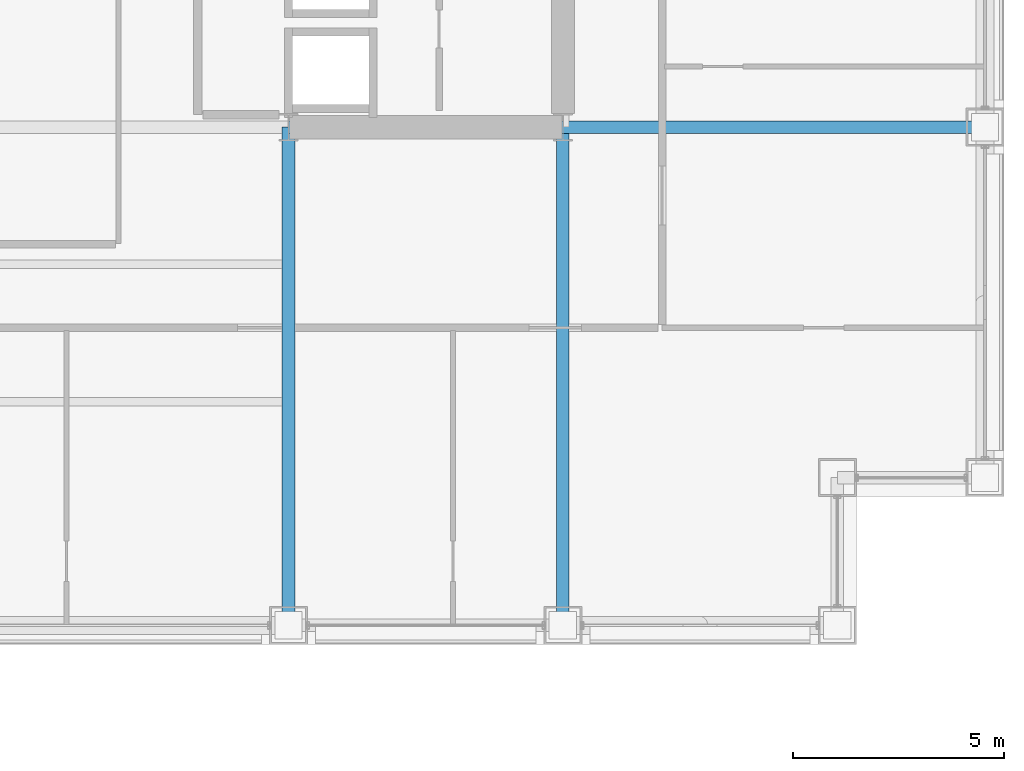
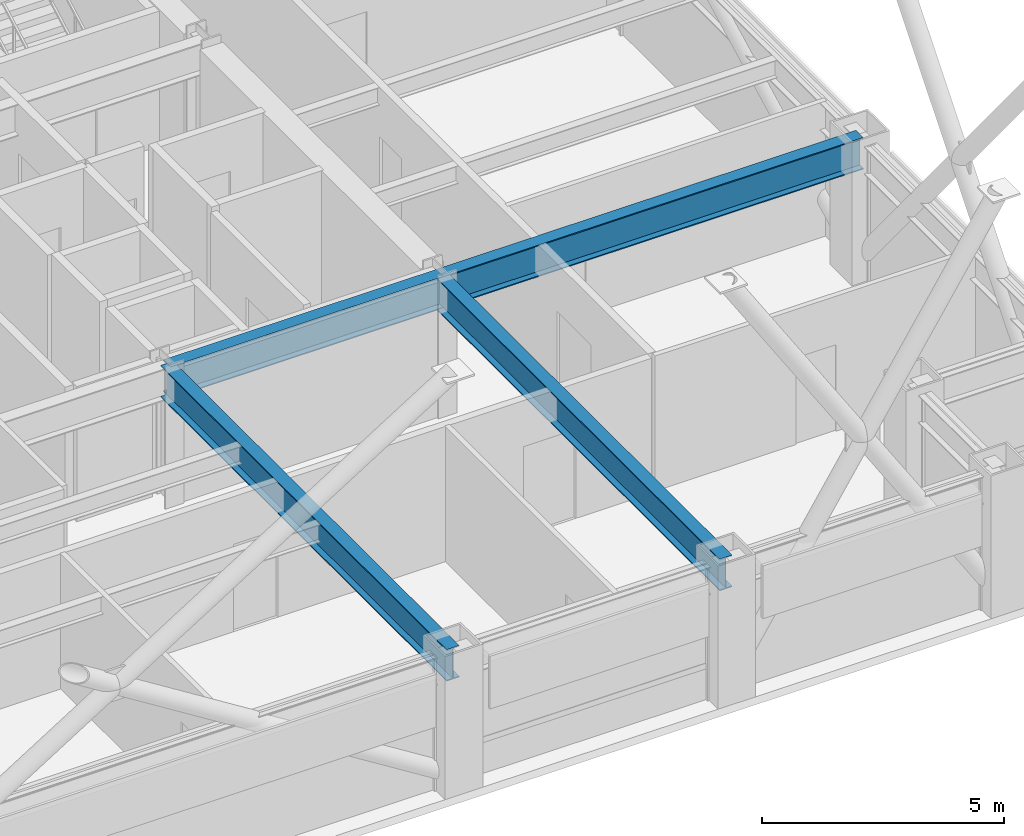
# One storey, part 10 of 30: 4 beams.
"""IFC4 building model written with IfcOpenShell, lengths in metres."""

from ifc_helpers import new_model, si_unit, direction, frame, origin, origin_2d, place, context, subcontext, project, spatial, i_section, extrude, material, material_profile, profile_set, type_object, element, save


model = new_model("IFC4")

# Units and contexts
model_context = context("Model", 3, precision=1e-05, world=origin(), true_north=direction((0.0, 1.0)))
body_context = subcontext(model_context, "Body", "Model", "MODEL_VIEW")
ifc_project = project(units=[si_unit("LENGTHUNIT", "METRE"), si_unit("AREAUNIT", "SQUARE_METRE"), si_unit("VOLUMEUNIT", "CUBIC_METRE"), si_unit("PLANEANGLEUNIT", "RADIAN"), si_unit("MASSUNIT", "GRAM", prefix="KILO")], contexts=[model_context])

# Site, building, storey
site_placement = place(None, origin())
site = spatial("IfcSite", under=ifc_project, at=site_placement, CompositionType="ELEMENT")
building_placement = place(site_placement, origin())
building = spatial("IfcBuilding", under=site, at=building_placement, Name="Brelmoor Portico Tower", CompositionType="ELEMENT")
storey_placement = place(building_placement, frame((0.0, 0.0, 56.39990234375)))
storey = spatial("IfcBuildingStorey", under=building, at=storey_placement, Name="L14", CompositionType="ELEMENT", Elevation=56.39990234375)

# Beams
ifc_material = material(Name="Steel Q355B", Category="steel")
ifc_material_profile = material_profile(ifc_material, i_section(OverallWidth=0.300048828125, OverallDepth=0.800048828125, WebThickness=0.013916015625, FlangeThickness=0.02587890625, at=origin_2d()), Name="HN 800x300x14x26")
ifc_profile_set = profile_set([ifc_material_profile], Name="Steel Q355B")
beam_type = type_object("IfcBeamType", Name="BM-PG-800", PredefinedType="BEAM", material=ifc_profile_set)
for number, where, z_axis, x_axis, name in (
    (1, (8.050048828125, -21.550048828125, 3.0), (0.0, 1.0, 0.0), (-1.0, 0.0, 0.0), "L14 Primary Floor Girder PG-09"),
    (2, (14.550048828125, -21.550048828125, 3.0), (0.0, 1.0, 0.0), (-1.0, 0.0, 0.0), "L14 Primary Floor Girder PG-11"),
):
    element("IfcBeam", number, at=place(storey_placement, frame(where, z_axis=z_axis, x_axis=x_axis)), inside=storey, type_object=beam_type, Name=name, PredefinedType="BEAM", context=body_context, shape_type="SweptSolid", body=[
        extrude(i_section(OverallWidth=0.300048828125, OverallDepth=0.800048828125, WebThickness=0.013916015625, FlangeThickness=0.02587890625, at=origin_2d()), origin(), (0.0, 0.0, 1.0), 11.800048828125),
    ])
beam_1_placement = place(storey_placement, frame((8.050048828125, -9.75, 3.0), z_axis=(1.0, 0.0, 0.0), x_axis=(0.0, 1.0, 0.0)))
element("IfcBeam", 3, at=beam_1_placement, inside=storey, type_object=beam_type, Name="L14 Primary Floor Girder PG-22", PredefinedType="BEAM", context=body_context, shape_type="SweptSolid", body=[
    extrude(i_section(OverallWidth=0.300048828125, OverallDepth=0.800048828125, WebThickness=0.013916015625, FlangeThickness=0.02587890625, at=origin_2d()), origin(), (0.0, 0.0, 1.0), 6.5),
])
beam_2_placement = place(storey_placement, frame((14.550048828125, -9.75, 3.0), z_axis=(1.0, 0.0, 0.0), x_axis=(0.0, 1.0, 0.0)))
element("IfcBeam", 4, at=beam_2_placement, inside=storey, type_object=beam_type, Name="L14 Primary Floor Girder PG-23", PredefinedType="BEAM", context=body_context, shape_type="SweptSolid", body=[
    extrude(i_section(OverallWidth=0.300048828125, OverallDepth=0.800048828125, WebThickness=0.013916015625, FlangeThickness=0.02587890625, at=origin_2d()), origin(), (0.0, 0.0, 1.0), 10.0),
])

save(model, "model.ifc")
